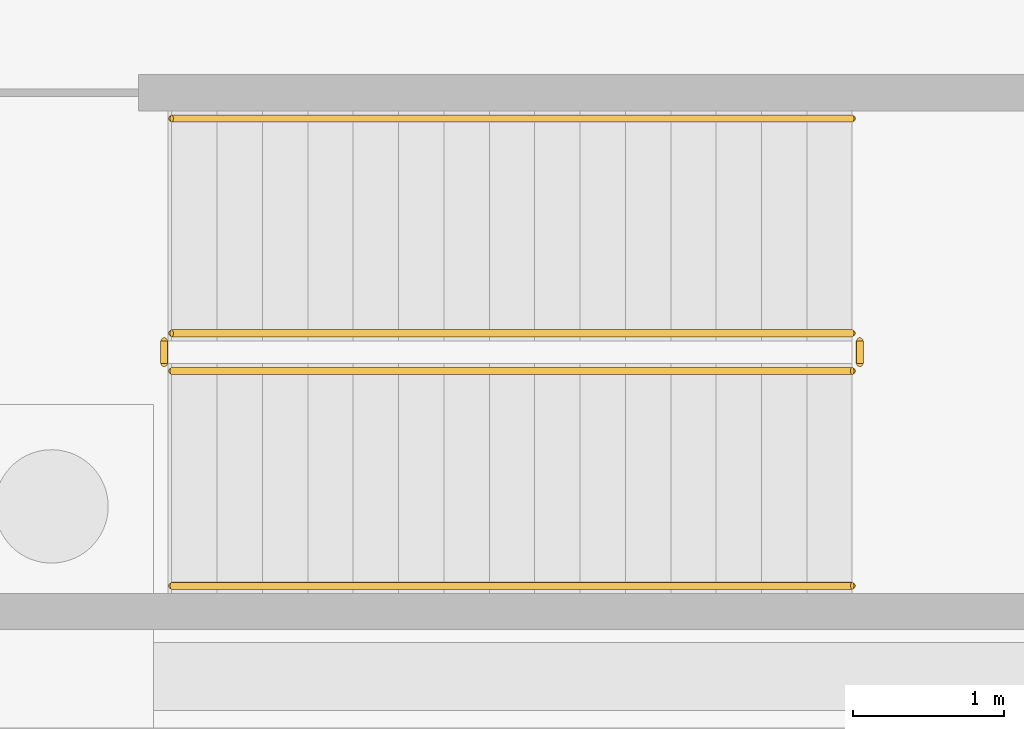
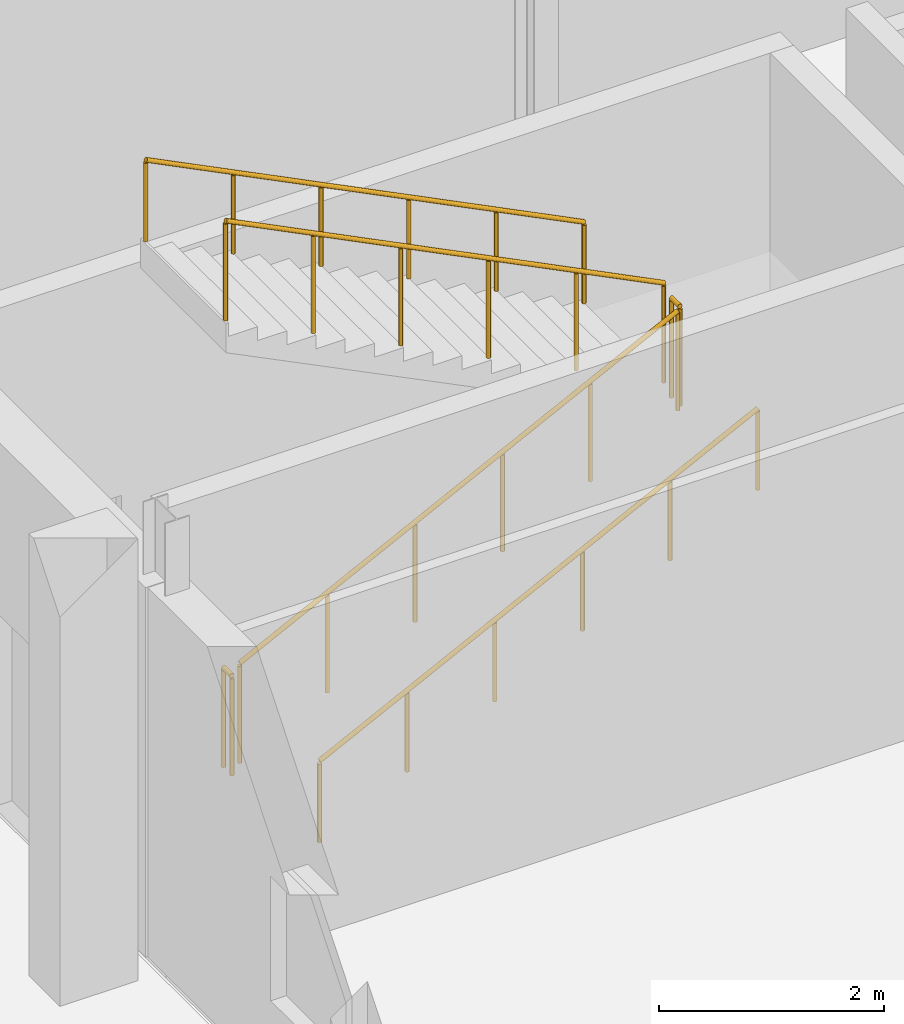
# One storey, part 102 of 112: 6 railings.
"""IFC4 building model written with IfcOpenShell, lengths in metres."""

from ifc_helpers import new_model, si_unit, direction, frame, origin, origin_2d, place, context, subcontext, project, spatial, circle, extrude, material, type_object, element, save


model = new_model("IFC4")

# Units and contexts
model_context = context("Model", 3, precision=1e-05, world=origin(), true_north=direction((0.0, 1.0)))
body_context = subcontext(model_context, "Body", "Model", "MODEL_VIEW")
ifc_project = project(units=[si_unit("LENGTHUNIT", "METRE"), si_unit("AREAUNIT", "SQUARE_METRE"), si_unit("VOLUMEUNIT", "CUBIC_METRE"), si_unit("PLANEANGLEUNIT", "RADIAN"), si_unit("MASSUNIT", "GRAM", prefix="KILO")], contexts=[model_context])

# Site, building, storey
site_placement = place(None, origin())
site = spatial("IfcSite", under=ifc_project, at=site_placement, CompositionType="ELEMENT")
building_placement = place(site_placement, origin())
building = spatial("IfcBuilding", under=site, at=building_placement, Name="Tharagai Park Tramway Depot", CompositionType="ELEMENT")
storey_placement = place(building_placement, origin())
storey = spatial("IfcBuildingStorey", under=building, at=storey_placement, Name="L00", CompositionType="ELEMENT", Elevation=0.0)

# Railings
ifc_material = material(Name="Galvanised steel", Category="steel")
railing_type_1 = type_object("IfcRailingType", Name="HR-02", PredefinedType="GUARDRAIL", material=ifc_material)
railing_1_placement = place(storey_placement, frame((1.919921875, 92.02001953125, 0.14990234375)))
element("IfcRailing", 1, at=railing_1_placement, inside=storey, type_object=railing_type_1, Name="L00 ST-10 stair guard 1", PredefinedType="GUARDRAIL", context=body_context, shape_type="SweptSolid", body=[
    extrude(circle(Radius=0.02392578125, at=origin_2d()), frame((0.0, 0.0, 1.076171875), z_axis=(0.894427191, 0.0, 0.4472135955), x_axis=(0.0, 1.0, 0.0)), (0.0, 0.0, 1.0), 5.03125),
    extrude(circle(Radius=0.02099609375, at=origin_2d()), origin(), (0.0, 0.0, 1.0), 1.052001953125),
    extrude(circle(Radius=0.02099609375, at=origin_2d()), frame((0.89990234375, 0.0, 0.449951171875)), (0.0, 0.0, 1.0), 1.052001953125),
    extrude(circle(Radius=0.02099609375, at=origin_2d()), frame((1.800048828125, 0.0, 0.89990234375)), (0.0, 0.0, 1.0), 1.052001953125),
    extrude(circle(Radius=0.02099609375, at=origin_2d()), frame((2.699951171875, 0.0, 1.35009765625)), (0.0, 0.0, 1.0), 1.052001953125),
    extrude(circle(Radius=0.02099609375, at=origin_2d()), frame((3.60009765625, 0.0, 1.800048828125)), (0.0, 0.0, 1.0), 1.052001953125),
    extrude(circle(Radius=0.02099609375, at=origin_2d()), frame((4.5, 0.0, 2.25)), (0.0, 0.0, 1.0), 1.052001953125),
])
railing_2_placement = place(storey_placement, frame((6.469970703125, 92.070068359375, 2.39990234375)))
element("IfcRailing", 2, at=railing_2_placement, inside=storey, type_object=railing_type_1, Name="L00 ST-10 stair guard 2", PredefinedType="GUARDRAIL", context=body_context, shape_type="SweptSolid", body=[
    extrude(circle(Radius=0.02392578125, at=origin_2d()), frame((0.0, 0.0, 1.076171875), z_axis=(0.0, 1.0, 0.0), x_axis=(-1.0, 0.0, 0.0)), (0.0, 0.0, 1.0), 0.14990234375),
    extrude(circle(Radius=0.02099609375, at=origin_2d()), origin(), (0.0, 0.0, 1.0), 1.052001953125),
    extrude(circle(Radius=0.02099609375, at=origin_2d()), frame((0.0, 0.14990234375, 0.0)), (0.0, 0.0, 1.0), 1.052001953125),
])
railing_3_placement = place(storey_placement, frame((6.419921875, 92.27001953125, 2.550048828125)))
element("IfcRailing", 3, at=railing_3_placement, inside=storey, type_object=railing_type_1, Name="L00 ST-10 stair guard 3", PredefinedType="GUARDRAIL", context=body_context, shape_type="SweptSolid", body=[
    extrude(circle(Radius=0.02392578125, at=origin_2d()), frame((0.0, 0.0, 1.076171875), z_axis=(-0.894427191, 0.0, 0.4472135955), x_axis=(0.0, -1.0, 0.0)), (0.0, 0.0, 1.0), 5.03125),
    extrude(circle(Radius=0.02099609375, at=origin_2d()), origin(), (0.0, 0.0, 1.0), 1.052001953125),
    extrude(circle(Radius=0.02099609375, at=origin_2d()), frame((-0.89990234375, 0.0, 0.449951171875)), (0.0, 0.0, 1.0), 1.052001953125),
    extrude(circle(Radius=0.02099609375, at=origin_2d()), frame((-1.800048828125, 0.0, 0.89990234375)), (0.0, 0.0, 1.0), 1.052001953125),
    extrude(circle(Radius=0.02099609375, at=origin_2d()), frame((-2.699951171875, 0.0, 1.35009765625)), (0.0, 0.0, 1.0), 1.052001953125),
    extrude(circle(Radius=0.02099609375, at=origin_2d()), frame((-3.60009765625, 0.0, 1.800048828125)), (0.0, 0.0, 1.0), 1.052001953125),
    extrude(circle(Radius=0.02099609375, at=origin_2d()), frame((-4.5, 0.0, 2.25)), (0.0, 0.0, 1.0), 1.052001953125),
])
railing_4_placement = place(storey_placement, frame((1.8701171875, 92.070068359375, 0.0)))
element("IfcRailing", 4, at=railing_4_placement, inside=storey, type_object=railing_type_1, Name="L00 ST-10 stair guard 4", PredefinedType="GUARDRAIL", context=body_context, shape_type="SweptSolid", body=[
    extrude(circle(Radius=0.02392578125, at=origin_2d()), frame((0.0, 0.0, 1.076171875), z_axis=(0.0, 1.0, 0.0), x_axis=(-1.0, 0.0, 0.0)), (0.0, 0.0, 1.0), 0.14990234375),
    extrude(circle(Radius=0.02099609375, at=origin_2d()), origin(), (0.0, 0.0, 1.0), 1.052001953125),
    extrude(circle(Radius=0.02099609375, at=origin_2d()), frame((0.0, 0.14990234375, 0.0)), (0.0, 0.0, 1.0), 1.052001953125),
])
railing_type_2 = type_object("IfcRailingType", Name="HR-03", PredefinedType="HANDRAIL", material=ifc_material)
railing_5_placement = place(storey_placement, frame((1.919921875, 90.60009765625, 0.14990234375)))
element("IfcRailing", 5, at=railing_5_placement, inside=storey, type_object=railing_type_2, Name="L00 ST-10 stair handrail 1", PredefinedType="HANDRAIL", context=body_context, shape_type="SweptSolid", body=[
    extrude(circle(Radius=0.02392578125, at=origin_2d()), frame((0.0, 0.0, 0.8759765625), z_axis=(0.894427191, 0.0, 0.4472135955), x_axis=(0.0, 1.0, 0.0)), (0.0, 0.0, 1.0), 5.03125),
    extrude(circle(Radius=0.02099609375, at=origin_2d()), origin(), (0.0, 0.0, 1.0), 0.851806640625),
    extrude(circle(Radius=0.02099609375, at=origin_2d()), frame((0.89990234375, 0.0, 0.449951171875)), (0.0, 0.0, 1.0), 0.851806640625),
    extrude(circle(Radius=0.02099609375, at=origin_2d()), frame((1.800048828125, 0.0, 0.89990234375)), (0.0, 0.0, 1.0), 0.851806640625),
    extrude(circle(Radius=0.02099609375, at=origin_2d()), frame((2.699951171875, 0.0, 1.35009765625)), (0.0, 0.0, 1.0), 0.851806640625),
    extrude(circle(Radius=0.02099609375, at=origin_2d()), frame((3.60009765625, 0.0, 1.800048828125)), (0.0, 0.0, 1.0), 0.851806640625),
    extrude(circle(Radius=0.02099609375, at=origin_2d()), frame((4.5, 0.0, 2.25)), (0.0, 0.0, 1.0), 0.851806640625),
])
railing_6_placement = place(storey_placement, frame((6.419921875, 93.68994140625, 2.550048828125)))
element("IfcRailing", 6, at=railing_6_placement, inside=storey, type_object=railing_type_2, Name="L00 ST-10 stair handrail 2", PredefinedType="HANDRAIL", context=body_context, shape_type="SweptSolid", body=[
    extrude(circle(Radius=0.02392578125, at=origin_2d()), frame((0.0, 0.0, 0.8759765625), z_axis=(-0.894427191, 0.0, 0.4472135955), x_axis=(0.0, -1.0, 0.0)), (0.0, 0.0, 1.0), 5.03125),
    extrude(circle(Radius=0.02099609375, at=origin_2d()), origin(), (0.0, 0.0, 1.0), 0.851806640625),
    extrude(circle(Radius=0.02099609375, at=origin_2d()), frame((-0.89990234375, 0.0, 0.449951171875)), (0.0, 0.0, 1.0), 0.851806640625),
    extrude(circle(Radius=0.02099609375, at=origin_2d()), frame((-1.800048828125, 0.0, 0.89990234375)), (0.0, 0.0, 1.0), 0.851806640625),
    extrude(circle(Radius=0.02099609375, at=origin_2d()), frame((-2.699951171875, 0.0, 1.35009765625)), (0.0, 0.0, 1.0), 0.851806640625),
    extrude(circle(Radius=0.02099609375, at=origin_2d()), frame((-3.60009765625, 0.0, 1.800048828125)), (0.0, 0.0, 1.0), 0.851806640625),
    extrude(circle(Radius=0.02099609375, at=origin_2d()), frame((-4.5, 0.0, 2.25)), (0.0, 0.0, 1.0), 0.851806640625),
])

save(model, "model.ifc")
